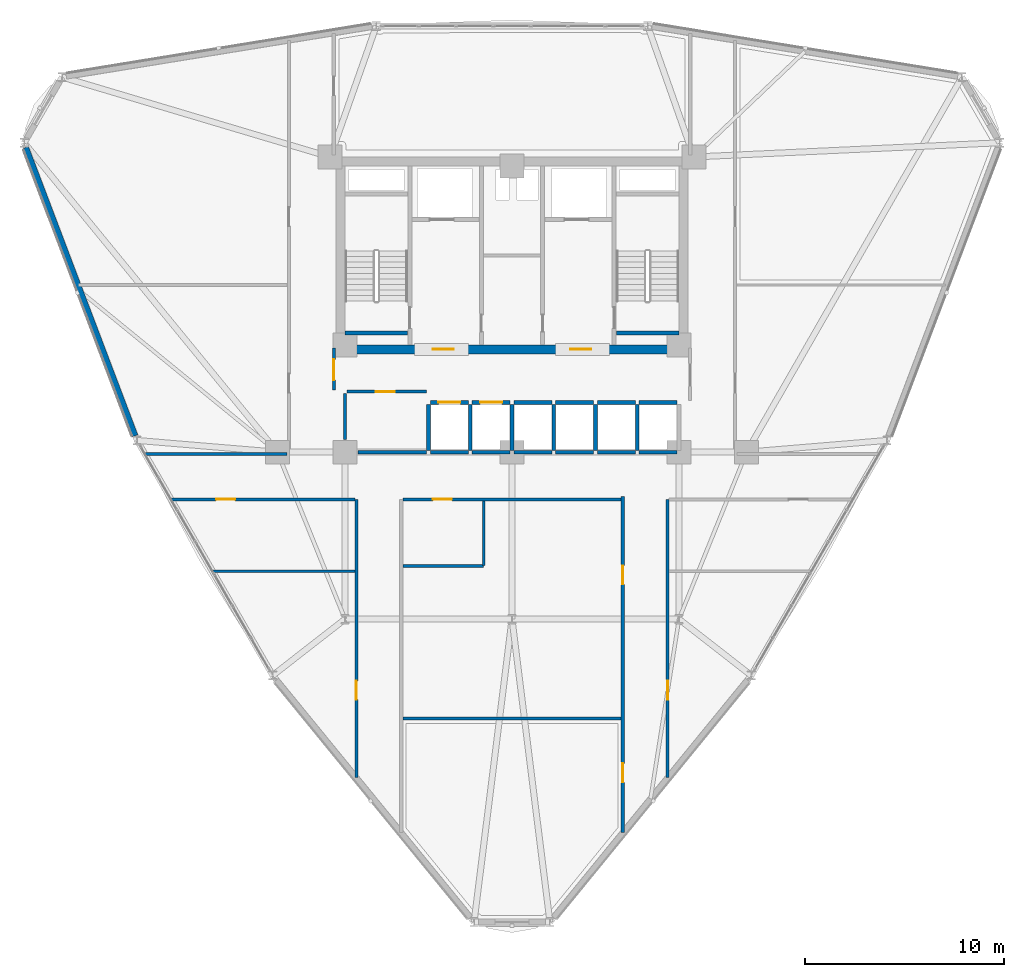
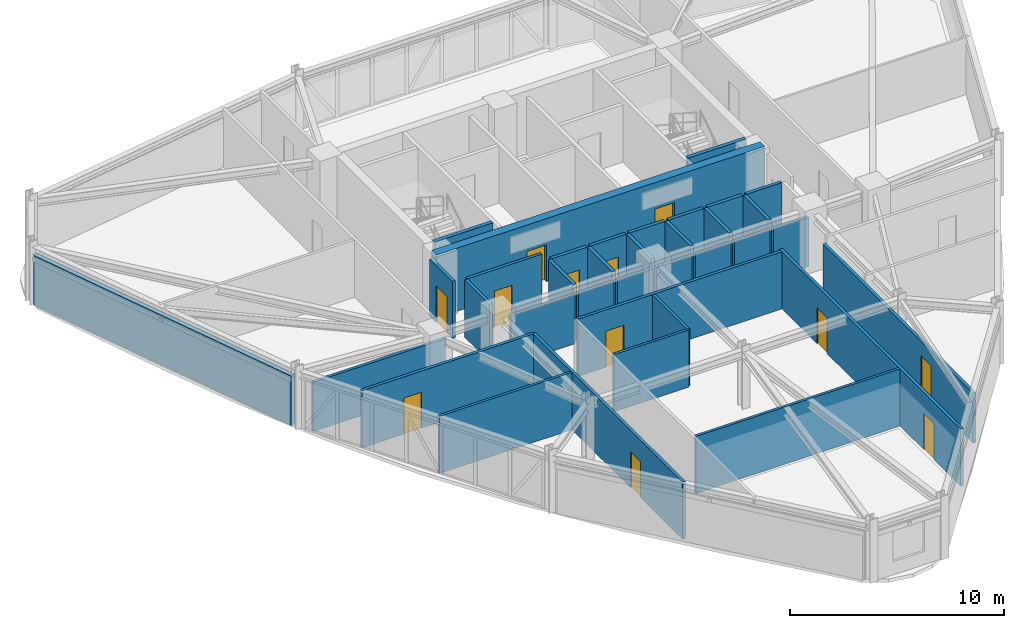
# One storey, part 10 of 17: 36 walls, 12 doors, 12 openings.
"""IFC4 building model written with IfcOpenShell, lengths in metres."""

from ifc_helpers import new_model, si_unit, derived_unit, direction, frame, frame_2d, origin, place, context, subcontext, project, spatial, rectangle, extrude, material, layer, layer_set, type_object, element, fill, save


model = new_model("IFC4")

# Units and contexts
model_context = context("Model", 3, precision=1e-05, world=origin(), true_north=direction((0.0, 1.0)))
body_context = subcontext(model_context, "Body", "Model", "MODEL_VIEW")
ifc_project = project(units=[si_unit("LENGTHUNIT", "METRE"), si_unit("AREAUNIT", "SQUARE_METRE"), si_unit("VOLUMEUNIT", "CUBIC_METRE"), si_unit("PLANEANGLEUNIT", "RADIAN"), si_unit("MASSUNIT", "GRAM", prefix="KILO"), derived_unit("THERMALTRANSMITTANCEUNIT", [(si_unit("POWERUNIT", "WATT"), 1), (si_unit("LENGTHUNIT", "METRE"), -2), (si_unit("THERMODYNAMICTEMPERATUREUNIT", "KELVIN"), -1)])], contexts=[model_context])

# Site, building, storey
site_placement = place(None, origin())
site = spatial("IfcSite", under=ifc_project, at=site_placement, CompositionType="ELEMENT")
building_placement = place(site_placement, origin())
building = spatial("IfcBuilding", under=site, at=building_placement, Name="Korsvarv Bourse and Concert Hall", CompositionType="ELEMENT")
storey_placement = place(building_placement, frame((0.0, 0.0, 127.800048828125)))
storey = spatial("IfcBuildingStorey", under=building, at=storey_placement, Name="L32", CompositionType="ELEMENT", Elevation=127.800048828125)

# Walls
ifc_material_1 = material(Name="Concrete C50/60", Category="concrete")
ifc_layer_1 = layer(ifc_material_1, 0.3798828125)
ifc_layer_set_1 = layer_set([ifc_layer_1], Name="Concrete C50/60")
wall_type_1 = type_object("IfcWallType", Name="WL-CORE-380", PredefinedType="SHEAR", material=ifc_layer_set_1)
for number, where, z_axis, x_axis, name in (
    (1, (27.610107421875, 38.39990234375, 0.0), (0.0, 0.0, 1.0), (1.0, 0.0, 0.0), "L32 stair shaft structural wall W-L32-ST1-S"),
    (2, (41.25, 38.39990234375, 0.0), (0.0, 0.0, 1.0), (1.0, 0.0, 0.0), "L32 stair shaft structural wall W-L32-ST2-S"),
):
    element("IfcWall", number, at=place(storey_placement, frame(where, z_axis=z_axis, x_axis=x_axis)), inside=storey, type_object=wall_type_1, Name=name, PredefinedType="SHEAR", context=body_context, shape_type="SweptSolid", body=[
        extrude(rectangle(XDim=3.139892578125, YDim=0.199951171875, at=frame_2d((1.56982421875, 0.0))), origin(), (0.0, 0.0, 1.0), 3.599853515625),
    ])

# Wall, openings, doors
ifc_material_2 = material(Name="Concrete C55/67", Category="concrete")
ifc_layer_2 = layer(ifc_material_2, 0.449951171875)
ifc_layer_set_2 = layer_set([ifc_layer_2], Name="Concrete C55/67")
wall_type_2 = type_object("IfcWallType", Name="WL-CORE-450", PredefinedType="SHEAR", material=ifc_layer_set_2)
wall_1_placement = place(storey_placement, frame((27.14990234375, 37.574951171875, 0.0), z_axis=(0.0, 0.0, 1.0), x_axis=(1.0, 0.0, 0.0)))
wall_1 = element("IfcWall", 3, at=wall_1_placement, inside=storey, type_object=wall_type_2, Name="L32 South Core Shear Wall", PredefinedType="SHEAR", context=body_context, shape_type="SweptSolid", body=[
    extrude(rectangle(XDim=17.7001953125, YDim=0.449951171875, at=frame_2d((8.85009765625, 0.0))), origin(), (0.0, 0.0, 1.0), 3.599853515625),
])
opening_1_placement = place(wall_1_placement, frame((4.875, 0.0, 0.0)))
opening_1 = element("IfcOpeningElement", 4, at=opening_1_placement, cuts=wall_1, Name="Opening D-01", PredefinedType="OPENING", context=body_context, shape_type="SweptSolid", body=[
    extrude(rectangle(XDim=1.050048828125, YDim=2.10009765625, at=frame_2d((0.52490234375, 1.050048828125))), frame((0.0, 0.23486328125, 0.0), z_axis=(0.0, -1.0, 0.0), x_axis=(1.0, 0.0, 0.0)), (0.0, 0.0, 1.0), 0.469970703125),
])
opening_2_placement = place(wall_1_placement, frame((11.77490234375, 0.0, 0.0)))
opening_2 = element("IfcOpeningElement", 5, at=opening_2_placement, cuts=wall_1, Name="Opening D-01", PredefinedType="OPENING", context=body_context, shape_type="SweptSolid", body=[
    extrude(rectangle(XDim=1.050048828125, YDim=2.10009765625, at=frame_2d((0.52490234375, 1.050048828125))), frame((0.0, 0.23486328125, 0.0), z_axis=(0.0, -1.0, 0.0), x_axis=(1.0, 0.0, 0.0)), (0.0, 0.0, 1.0), 0.469970703125),
])
ifc_material_3 = material(Name="Steel S355 fire door", Category="steel")
door_type_1 = type_object("IfcDoorType", Name="DR-FD60", OperationType="NOTDEFINED", PredefinedType="DOOR", material=ifc_material_3)
door_1_placement = place(opening_1_placement, frame((1.050048828125, 0.0, 0.0), z_axis=(0.0, 0.0, 1.0), x_axis=(-1.0, 0.0, 0.0)))
door_1 = element("IfcDoor", 6, at=door_1_placement, inside=storey, type_object=door_type_1, Name="L32 firefighting lobby fire door DR-L32-FFLW", OperationType="SINGLE_SWING_LEFT", OverallHeight=2.10009765625, OverallWidth=1.050048828125, PredefinedType="DOOR", context=body_context, shape_type="SweptSolid", body=[
    extrude(rectangle(XDim=1.050048828125, YDim=2.10009765625, at=frame_2d((0.52490234375, 1.050048828125))), frame((0.0, 0.02490234375, 0.0), z_axis=(0.0, -1.0, 0.0), x_axis=(1.0, 0.0, 0.0)), (0.0, 0.0, 1.0), 0.050048828125),
])
fill(opening_1, door_1)
door_2_placement = place(opening_2_placement, frame((1.050048828125, 0.0, 0.0), z_axis=(0.0, 0.0, 1.0), x_axis=(-1.0, 0.0, 0.0)))
door_2 = element("IfcDoor", 7, at=door_2_placement, inside=storey, type_object=door_type_1, Name="L32 firefighting lobby fire door DR-L32-FFLE", OperationType="SINGLE_SWING_RIGHT", OverallHeight=2.10009765625, OverallWidth=1.050048828125, PredefinedType="DOOR", context=body_context, shape_type="SweptSolid", body=[
    extrude(rectangle(XDim=1.050048828125, YDim=2.10009765625, at=frame_2d((0.52490234375, 1.050048828125))), frame((0.0, 0.02490234375, 0.0), z_axis=(0.0, -1.0, 0.0), x_axis=(1.0, 0.0, 0.0)), (0.0, 0.0, 1.0), 0.050048828125),
])
fill(opening_2, door_2)

# Walls
ifc_material_4 = material(Name="Precast concrete C45/55 with fluted terracotta pier", Category="concrete")
ifc_layer_3 = layer(ifc_material_4, 0.280029296875)
ifc_layer_set_3 = layer_set([ifc_layer_3], Name="Precast concrete C45/55 with fluted terracotta pier")
wall_type_3 = type_object("IfcWallType", Name="WL-EXT-TC2", PredefinedType="SOLIDWALL", material=ifc_layer_set_3)
wall_2_placement = place(storey_placement, frame((11.54638671875, 47.733642578125, 0.0), z_axis=(0.0, 0.0, 1.0), x_axis=(0.354519532047, -0.935048609109, 0.0)))
element("IfcWall", 8, at=wall_2_placement, inside=storey, type_object=wall_type_3, Name="L32 terracotta exterior wall EW-L32-B06", PredefinedType="SOLIDWALL", context=body_context, shape_type="SweptSolid", body=[
    extrude(rectangle(XDim=15.517333984375, YDim=0.280029296875, at=frame_2d((7.7587890625, 0.0))), origin(), (0.0, 0.0, 1.0), 2.81005859375),
])
ifc_material_5 = material(Name="Double-stud fire-rated acoustic partition", Category="gypsum")
ifc_layer_4 = layer(ifc_material_5, 0.159912109375)
ifc_layer_set_4 = layer_set([ifc_layer_4], Name="Double-stud fire-rated acoustic partition")
wall_type_4 = type_object("IfcWallType", Name="WL-INT-EI60", PredefinedType="PARTITIONING", material=ifc_layer_set_4)
wall_3_placement = place(storey_placement, frame((28.25, 32.39990234375, 0.0), z_axis=(0.0, 0.0, 1.0), x_axis=(1.0, 0.0, 0.0)))
element("IfcWall", 9, at=wall_3_placement, inside=storey, type_object=wall_type_4, Name="L32 interior partition wall W-L32-FRD-S", PredefinedType="PARTITIONING", context=body_context, shape_type="SweptSolid", body=[
    extrude(rectangle(XDim=3.449951171875, YDim=0.159912109375, at=frame_2d((1.72509765625, 0.0))), origin(), (0.0, 0.0, 1.0), 2.81005859375),
])
wall_4_placement = place(storey_placement, frame((27.60009765625, 33.050048828125, 0.0), z_axis=(0.0, 0.0, 1.0), x_axis=(0.0, 1.0, 0.0)))
element("IfcWall", 10, at=wall_4_placement, inside=storey, type_object=wall_type_4, Name="L32 interior partition wall W-L32-FRD-W", PredefinedType="PARTITIONING", context=body_context, shape_type="SweptSolid", body=[
    extrude(rectangle(XDim=2.31005859375, YDim=0.159912109375, at=frame_2d((1.155029296875, 0.0))), origin(), (0.0, 0.0, 1.0), 3.260009765625),
])

# Wall, opening, door
wall_5_placement = place(storey_placement, frame((27.68994140625, 35.449951171875, 0.0), z_axis=(0.0, 0.0, 1.0), x_axis=(1.0, 0.0, 0.0)))
wall_5 = element("IfcWall", 11, at=wall_5_placement, inside=storey, type_object=wall_type_4, Name="L32 interior partition wall W-L32-FRD-N", PredefinedType="PARTITIONING", context=body_context, shape_type="SweptSolid", body=[
    extrude(rectangle(XDim=4.010009765625, YDim=0.159912109375, at=frame_2d((2.0048828125, 0.0))), origin(), (0.0, 0.0, 1.0), 3.260009765625),
])
opening_3_placement = place(wall_5_placement, frame((1.449951171875, 0.0, 0.0)))
opening_3 = element("IfcOpeningElement", 12, at=opening_3_placement, cuts=wall_5, Name="Opening D-03", PredefinedType="OPENING", context=body_context, shape_type="SweptSolid", body=[
    extrude(rectangle(XDim=0.949951171875, YDim=2.050048828125, at=frame_2d((0.47509765625, 1.02490234375))), frame((0.0, 0.08984375, 0.0), z_axis=(0.0, -1.0, 0.0), x_axis=(1.0, 0.0, 0.0)), (0.0, 0.0, 1.0), 0.179931640625),
])
ifc_material_6 = material(Name="Nordic oak acoustic office door", Category="wood")
door_type_2 = type_object("IfcDoorType", Name="DR-INT-1", OperationType="NOTDEFINED", PredefinedType="DOOR", material=ifc_material_6)
door_3_placement = place(opening_3_placement, origin())
door_3 = element("IfcDoor", 13, at=door_3_placement, inside=storey, type_object=door_type_2, Name="L32 interior door DR-L32-FRDN1", OperationType="SINGLE_SWING_RIGHT", OverallHeight=2.050048828125, OverallWidth=0.949951171875, PredefinedType="DOOR", context=body_context, shape_type="SweptSolid", body=[
    extrude(rectangle(XDim=0.949951171875, YDim=2.050048828125, at=frame_2d((0.47509765625, 1.02490234375))), frame((0.0, 0.02490234375, 0.0), z_axis=(0.0, -1.0, 0.0), x_axis=(1.0, 0.0, 0.0)), (0.0, 0.0, 1.0), 0.050048828125),
])
fill(opening_3, door_3)

wall_6_placement = place(storey_placement, frame((27.0400390625, 35.5400390625, 0.0), z_axis=(0.0, 0.0, 1.0), x_axis=(0.0, 1.0, 0.0)))
wall_6 = element("IfcWall", 14, at=wall_6_placement, inside=storey, type_object=wall_type_4, Name="L32 interior partition wall W-L32-LOB-WL", PredefinedType="PARTITIONING", context=body_context, shape_type="SweptSolid", body=[
    extrude(rectangle(XDim=2.10986328125, YDim=0.159912109375, at=frame_2d((1.054931640625, 0.0))), origin(), (0.0, 0.0, 1.0), 3.260009765625),
])
opening_4_placement = place(wall_6_placement, frame((0.47998046875, 0.0, 0.0)))
opening_4 = element("IfcOpeningElement", 15, at=opening_4_placement, cuts=wall_6, Name="Opening D-01", PredefinedType="OPENING", context=body_context, shape_type="SweptSolid", body=[
    extrude(rectangle(XDim=1.050048828125, YDim=2.10009765625, at=frame_2d((0.52490234375, 1.050048828125))), frame((0.0, 0.08984375, 0.0), z_axis=(0.0, -1.0, 0.0), x_axis=(1.0, 0.0, 0.0)), (0.0, 0.0, 1.0), 0.179931640625),
])
door_4_placement = place(opening_4_placement, frame((1.050048828125, 0.0, 0.0), z_axis=(0.0, 0.0, 1.0), x_axis=(-1.0, 0.0, 0.0)))
door_4 = element("IfcDoor", 16, at=door_4_placement, inside=storey, type_object=door_type_1, Name="L32 interior door DR-L32-LOBW", OperationType="SINGLE_SWING_LEFT", OverallHeight=2.10009765625, OverallWidth=1.050048828125, PredefinedType="DOOR", context=body_context, shape_type="SweptSolid", body=[
    extrude(rectangle(XDim=1.050048828125, YDim=2.10009765625, at=frame_2d((0.52490234375, 1.050048828125))), frame((0.0, 0.02490234375, 0.0), z_axis=(0.0, -1.0, 0.0), x_axis=(1.0, 0.0, 0.0)), (0.0, 0.0, 1.0), 0.050048828125),
])
fill(opening_4, door_4)

# Wall, openings, doors
wall_7_placement = place(storey_placement, frame((41.574951171875, 13.273681640625, 0.0), z_axis=(0.0, 0.0, 1.0), x_axis=(0.0, 1.0, 0.0)))
wall_7 = element("IfcWall", 17, at=wall_7_placement, inside=storey, type_object=wall_type_4, Name="L32 interior partition wall W-L32-TCOR-03", PredefinedType="PARTITIONING", context=body_context, shape_type="SweptSolid", body=[
    extrude(rectangle(XDim=16.90625, YDim=0.159912109375, at=frame_2d((8.453125, 0.0))), origin(), (0.0, 0.0, 1.0), 3.260009765625),
])
opening_5_placement = place(wall_7_placement, frame((2.515625, 0.0, 0.0)))
opening_5 = element("IfcOpeningElement", 18, at=opening_5_placement, cuts=wall_7, Name="Opening D-02", PredefinedType="OPENING", context=body_context, shape_type="SweptSolid", body=[
    extrude(rectangle(XDim=0.949951171875, YDim=2.050048828125, at=frame_2d((0.47509765625, 1.02490234375))), frame((0.0, 0.08984375, 0.0), z_axis=(0.0, -1.0, 0.0), x_axis=(1.0, 0.0, 0.0)), (0.0, 0.0, 1.0), 0.179931640625),
])
opening_6_placement = place(wall_7_placement, frame((12.473388671875, 0.0, 0.0)))
opening_6 = element("IfcOpeningElement", 19, at=opening_6_placement, cuts=wall_7, Name="Opening D-02", PredefinedType="OPENING", context=body_context, shape_type="SweptSolid", body=[
    extrude(rectangle(XDim=0.949951171875, YDim=2.050048828125, at=frame_2d((0.47509765625, 1.02490234375))), frame((0.0, 0.08984375, 0.0), z_axis=(0.0, -1.0, 0.0), x_axis=(1.0, 0.0, 0.0)), (0.0, 0.0, 1.0), 0.179931640625),
])
ifc_material_7 = material(Name="Timber and steel acoustic fire door", Category="wood")
door_type_3 = type_object("IfcDoorType", Name="DR-FD30", OperationType="NOTDEFINED", PredefinedType="DOOR", material=ifc_material_7)
door_5_placement = place(opening_5_placement, origin())
door_5 = element("IfcDoor", 20, at=door_5_placement, inside=storey, type_object=door_type_3, Name="L32 interior door DR-L32-TCOR-ES36", OperationType="SINGLE_SWING_LEFT", OverallHeight=2.050048828125, OverallWidth=0.949951171875, PredefinedType="DOOR", context=body_context, shape_type="SweptSolid", body=[
    extrude(rectangle(XDim=0.949951171875, YDim=2.050048828125, at=frame_2d((0.47509765625, 1.02490234375))), frame((0.0, 0.02490234375, 0.0), z_axis=(0.0, -1.0, 0.0), x_axis=(1.0, 0.0, 0.0)), (0.0, 0.0, 1.0), 0.050048828125),
])
fill(opening_5, door_5)
door_6_placement = place(opening_6_placement, origin())
door_6 = element("IfcDoor", 21, at=door_6_placement, inside=storey, type_object=door_type_3, Name="L32 interior door DR-L32-TCOR-ES17", OperationType="SINGLE_SWING_RIGHT", OverallHeight=2.050048828125, OverallWidth=0.949951171875, PredefinedType="DOOR", context=body_context, shape_type="SweptSolid", body=[
    extrude(rectangle(XDim=0.949951171875, YDim=2.050048828125, at=frame_2d((0.47509765625, 1.02490234375))), frame((0.0, 0.02490234375, 0.0), z_axis=(0.0, -1.0, 0.0), x_axis=(1.0, 0.0, 0.0)), (0.0, 0.0, 1.0), 0.050048828125),
])
fill(opening_6, door_6)

# Wall, opening, door
wall_8_placement = place(storey_placement, frame((28.175048828125, 16.02880859375, 0.0), z_axis=(0.0, 0.0, 1.0), x_axis=(0.0, 1.0, 0.0)))
wall_8 = element("IfcWall", 22, at=wall_8_placement, inside=storey, type_object=wall_type_4, Name="L32 interior partition wall W-L32-TCOR-05", PredefinedType="PARTITIONING", context=body_context, shape_type="SweptSolid", body=[
    extrude(rectangle(XDim=14.001220703125, YDim=0.159912109375, at=frame_2d((7.00048828125, 0.0))), origin(), (0.0, 0.0, 1.0), 3.260009765625),
])
opening_7_placement = place(wall_8_placement, frame((3.918701171875, 0.0, 0.0)))
opening_7 = element("IfcOpeningElement", 23, at=opening_7_placement, cuts=wall_8, Name="Opening D-02", PredefinedType="OPENING", context=body_context, shape_type="SweptSolid", body=[
    extrude(rectangle(XDim=0.949951171875, YDim=2.050048828125, at=frame_2d((0.47509765625, 1.02490234375))), frame((0.0, 0.08984375, 0.0), z_axis=(0.0, -1.0, 0.0), x_axis=(1.0, 0.0, 0.0)), (0.0, 0.0, 1.0), 0.179931640625),
])
door_7_placement = place(opening_7_placement, origin())
door_7 = element("IfcDoor", 24, at=door_7_placement, inside=storey, type_object=door_type_3, Name="L32 interior door DR-L32-TCOR-ES48", OperationType="SINGLE_SWING_LEFT", OverallHeight=2.050048828125, OverallWidth=0.949951171875, PredefinedType="DOOR", context=body_context, shape_type="SweptSolid", body=[
    extrude(rectangle(XDim=0.949951171875, YDim=2.050048828125, at=frame_2d((0.47509765625, 1.02490234375))), frame((0.0, 0.02490234375, 0.0), z_axis=(0.0, -1.0, 0.0), x_axis=(1.0, 0.0, 0.0)), (0.0, 0.0, 1.0), 0.050048828125),
])
fill(opening_7, door_7)

wall_9_placement = place(storey_placement, frame((43.824951171875, 16.02880859375, 0.0), z_axis=(0.0, 0.0, 1.0), x_axis=(0.0, 1.0, 0.0)))
wall_9 = element("IfcWall", 25, at=wall_9_placement, inside=storey, type_object=wall_type_4, Name="L32 interior partition wall W-L32-TCOR-06", PredefinedType="PARTITIONING", context=body_context, shape_type="SweptSolid", body=[
    extrude(rectangle(XDim=14.001220703125, YDim=0.159912109375, at=frame_2d((7.00048828125, 0.0))), origin(), (0.0, 0.0, 1.0), 2.85986328125),
])
opening_8_placement = place(wall_9_placement, frame((3.918701171875, 0.0, 0.0)))
opening_8 = element("IfcOpeningElement", 26, at=opening_8_placement, cuts=wall_9, Name="Opening D-02", PredefinedType="OPENING", context=body_context, shape_type="SweptSolid", body=[
    extrude(rectangle(XDim=0.949951171875, YDim=2.050048828125, at=frame_2d((0.47509765625, 1.02490234375))), frame((0.0, 0.08984375, 0.0), z_axis=(0.0, -1.0, 0.0), x_axis=(1.0, 0.0, 0.0)), (0.0, 0.0, 1.0), 0.179931640625),
])
door_8_placement = place(opening_8_placement, origin())
door_8 = element("IfcDoor", 27, at=door_8_placement, inside=storey, type_object=door_type_3, Name="L32 interior door DR-L32-TCOR-ES53", OperationType="SINGLE_SWING_RIGHT", OverallHeight=2.050048828125, OverallWidth=0.949951171875, PredefinedType="DOOR", context=body_context, shape_type="SweptSolid", body=[
    extrude(rectangle(XDim=0.949951171875, YDim=2.050048828125, at=frame_2d((0.47509765625, 1.02490234375))), frame((0.0, 0.02490234375, 0.0), z_axis=(0.0, -1.0, 0.0), x_axis=(1.0, 0.0, 0.0)), (0.0, 0.0, 1.0), 0.050048828125),
])
fill(opening_8, door_8)

wall_10_placement = place(storey_placement, frame((30.507080078125, 30.02490234375, 0.0), z_axis=(0.0, 0.0, 1.0), x_axis=(1.0, 0.0, 0.0)))
wall_10 = element("IfcWall", 28, at=wall_10_placement, inside=storey, type_object=wall_type_4, Name="L32 interior partition wall W-L32-TCOR-07", PredefinedType="PARTITIONING", context=body_context, shape_type="SweptSolid", body=[
    extrude(rectangle(XDim=10.98583984375, YDim=0.159912109375, at=frame_2d((5.492919921875, 0.0))), origin(), (0.0, 0.0, 1.0), 3.260009765625),
])
opening_9_placement = place(wall_10_placement, frame((1.51220703125, 0.0, 0.0)))
opening_9 = element("IfcOpeningElement", 29, at=opening_9_placement, cuts=wall_10, Name="Opening D-02", PredefinedType="OPENING", context=body_context, shape_type="SweptSolid", body=[
    extrude(rectangle(XDim=0.949951171875, YDim=2.050048828125, at=frame_2d((0.47509765625, 1.02490234375))), frame((0.0, 0.08984375, 0.0), z_axis=(0.0, -1.0, 0.0), x_axis=(1.0, 0.0, 0.0)), (0.0, 0.0, 1.0), 0.179931640625),
])
door_9_placement = place(opening_9_placement, origin())
door_9 = element("IfcDoor", 30, at=door_9_placement, inside=storey, type_object=door_type_3, Name="L32 interior door DR-L32-TCOR-RWC", OperationType="SINGLE_SWING_LEFT", OverallHeight=2.050048828125, OverallWidth=0.949951171875, PredefinedType="DOOR", context=body_context, shape_type="SweptSolid", body=[
    extrude(rectangle(XDim=0.949951171875, YDim=2.050048828125, at=frame_2d((0.47509765625, 1.02490234375))), frame((0.0, 0.02490234375, 0.0), z_axis=(0.0, -1.0, 0.0), x_axis=(1.0, 0.0, 0.0)), (0.0, 0.0, 1.0), 0.050048828125),
])
fill(opening_9, door_9)

wall_11_placement = place(storey_placement, frame((18.868408203125, 30.02490234375, 0.0), z_axis=(0.0, 0.0, 1.0), x_axis=(1.0, 0.0, 0.0)))
wall_11 = element("IfcWall", 31, at=wall_11_placement, inside=storey, type_object=wall_type_4, Name="L32 interior partition wall W-L32-TCOR-08", PredefinedType="PARTITIONING", context=body_context, shape_type="SweptSolid", body=[
    extrude(rectangle(XDim=9.224609375, YDim=0.159912109375, at=frame_2d((4.6123046875, 0.0))), origin(), (0.0, 0.0, 1.0), 3.260009765625),
])
opening_10_placement = place(wall_11_placement, frame((2.249755859375, 0.0, 0.0)))
opening_10 = element("IfcOpeningElement", 32, at=opening_10_placement, cuts=wall_11, Name="Opening D-02", PredefinedType="OPENING", context=body_context, shape_type="SweptSolid", body=[
    extrude(rectangle(XDim=0.949951171875, YDim=2.050048828125, at=frame_2d((0.47509765625, 1.02490234375))), frame((0.0, 0.08984375, 0.0), z_axis=(0.0, -1.0, 0.0), x_axis=(1.0, 0.0, 0.0)), (0.0, 0.0, 1.0), 0.179931640625),
])
door_10_placement = place(opening_10_placement, origin())
door_10 = element("IfcDoor", 33, at=door_10_placement, inside=storey, type_object=door_type_3, Name="L32 interior door DR-L32-TCOR-RM99", OperationType="SINGLE_SWING_RIGHT", OverallHeight=2.050048828125, OverallWidth=0.949951171875, PredefinedType="DOOR", context=body_context, shape_type="SweptSolid", body=[
    extrude(rectangle(XDim=0.949951171875, YDim=2.050048828125, at=frame_2d((0.47509765625, 1.02490234375))), frame((0.0, 0.02490234375, 0.0), z_axis=(0.0, -1.0, 0.0), x_axis=(1.0, 0.0, 0.0)), (0.0, 0.0, 1.0), 0.050048828125),
])
fill(opening_10, door_10)

# Wall
wall_12_placement = place(storey_placement, frame((17.54638671875, 32.31494140625, 0.0), z_axis=(0.0, 0.0, 1.0), x_axis=(1.0, 0.0, 0.0)))
element("IfcWall", 34, at=wall_12_placement, inside=storey, type_object=wall_type_4, Name="L32 interior partition wall W-L32-TCOR-10", PredefinedType="PARTITIONING", context=body_context, shape_type="SweptSolid", body=[
    extrude(rectangle(XDim=7.146728515625, YDim=0.159912109375, at=frame_2d((3.5732421875, 0.0))), origin(), (0.0, 0.0, 1.0), 2.81005859375),
])

# Wall, opening, door
ifc_material_8 = material(Name="Gypsum-clad autoclaved concrete shaft wall C30/37", Category="concrete")
ifc_layer_5 = layer(ifc_material_8, 0.179931640625)
ifc_layer_set_5 = layer_set([ifc_layer_5], Name="Gypsum-clad autoclaved concrete shaft wall C30/37")
wall_type_5 = type_object("IfcWallType", Name="WL-INT-EI90", PredefinedType="PARTITIONING", material=ifc_layer_set_5)
wall_13_placement = place(storey_placement, frame((31.889892578125, 34.89990234375, 0.0), z_axis=(0.0, 0.0, 1.0), x_axis=(1.0, 0.0, 0.0)))
wall_13 = element("IfcWall", 35, at=wall_13_placement, inside=storey, type_object=wall_type_5, Name="L32 interior partition wall W-L32-SHFN-PM1", PredefinedType="PARTITIONING", context=body_context, shape_type="SweptSolid", body=[
    extrude(rectangle(XDim=1.920166015625, YDim=0.179931640625, at=frame_2d((0.9599609375, 0.0))), origin(), (0.0, 0.0, 1.0), 3.260009765625),
])
opening_11_placement = place(wall_13_placement, frame((0.409912109375, 0.0, 0.0)))
opening_11 = element("IfcOpeningElement", 36, at=opening_11_placement, cuts=wall_13, Name="Opening LD-2", PredefinedType="OPENING", context=body_context, shape_type="SweptSolid", body=[
    extrude(rectangle(XDim=1.10009765625, YDim=2.10009765625, at=frame_2d((0.550048828125, 1.050048828125))), frame((0.0, 0.10009765625, 0.0), z_axis=(0.0, -1.0, 0.0), x_axis=(1.0, 0.0, 0.0)), (0.0, 0.0, 1.0), 0.199951171875),
])
ifc_material_9 = material(Name="Brushed stainless Steel S355 lift landing door", Category="steel")
door_type_4 = type_object("IfcDoorType", Name="DR-LIFT-P", OperationType="DOUBLE_DOOR_SLIDING", PredefinedType="DOOR", material=ifc_material_9)
door_11_placement = place(opening_11_placement, origin())
door_11 = element("IfcDoor", 37, at=door_11_placement, inside=storey, type_object=door_type_4, Name="L32 lift sliding landing door LD-L32-PM1", OperationType="DOUBLE_DOOR_SLIDING", OverallHeight=2.10009765625, OverallWidth=1.10009765625, PredefinedType="DOOR", context=body_context, shape_type="SweptSolid", body=[
    extrude(rectangle(XDim=1.10009765625, YDim=2.10009765625, at=frame_2d((0.550048828125, 1.050048828125))), frame((0.0, 0.02490234375, 0.0), z_axis=(0.0, -1.0, 0.0), x_axis=(1.0, 0.0, 0.0)), (0.0, 0.0, 1.0), 0.050048828125),
])
fill(opening_11, door_11)

# Walls
wall_14_placement = place(storey_placement, frame((31.889892578125, 32.39990234375, 0.0), z_axis=(0.0, 0.0, 1.0), x_axis=(1.0, 0.0, 0.0)))
element("IfcWall", 38, at=wall_14_placement, inside=storey, type_object=wall_type_5, Name="L32 interior partition wall W-L32-SHFS-PM1", PredefinedType="PARTITIONING", context=body_context, shape_type="SweptSolid", body=[
    extrude(rectangle(XDim=1.920166015625, YDim=0.179931640625, at=frame_2d((0.9599609375, 0.0))), origin(), (0.0, 0.0, 1.0), 2.81005859375),
])
wall_15_placement = place(storey_placement, frame((31.800048828125, 32.489990234375, 0.0), z_axis=(0.0, 0.0, 1.0), x_axis=(0.0, 1.0, 0.0)))
element("IfcWall", 39, at=wall_15_placement, inside=storey, type_object=wall_type_5, Name="L32 interior partition wall W-L32-SHFW-PM1", PredefinedType="PARTITIONING", context=body_context, shape_type="SweptSolid", body=[
    extrude(rectangle(XDim=2.320068359375, YDim=0.179931640625, at=frame_2d((1.16015625, 0.0))), origin(), (0.0, 0.0, 1.0), 3.260009765625),
])

# Wall, opening, door
wall_16_placement = place(storey_placement, frame((33.989990234375, 34.89990234375, 0.0), z_axis=(0.0, 0.0, 1.0), x_axis=(1.0, 0.0, 0.0)))
wall_16 = element("IfcWall", 40, at=wall_16_placement, inside=storey, type_object=wall_type_5, Name="L32 interior partition wall W-L32-SHFN-PM2", PredefinedType="PARTITIONING", context=body_context, shape_type="SweptSolid", body=[
    extrude(rectangle(XDim=1.919921875, YDim=0.179931640625, at=frame_2d((0.9599609375, 0.0))), origin(), (0.0, 0.0, 1.0), 3.260009765625),
])
opening_12_placement = place(wall_16_placement, frame((0.409912109375, 0.0, 0.0)))
opening_12 = element("IfcOpeningElement", 41, at=opening_12_placement, cuts=wall_16, Name="Opening LD-2", PredefinedType="OPENING", context=body_context, shape_type="SweptSolid", body=[
    extrude(rectangle(XDim=1.10009765625, YDim=2.10009765625, at=frame_2d((0.550048828125, 1.050048828125))), frame((0.0, 0.10009765625, 0.0), z_axis=(0.0, -1.0, 0.0), x_axis=(1.0, 0.0, 0.0)), (0.0, 0.0, 1.0), 0.199951171875),
])
door_12_placement = place(opening_12_placement, origin())
door_12 = element("IfcDoor", 42, at=door_12_placement, inside=storey, type_object=door_type_4, Name="L32 lift sliding landing door LD-L32-PM2", OperationType="DOUBLE_DOOR_SLIDING", OverallHeight=2.10009765625, OverallWidth=1.10009765625, PredefinedType="DOOR", context=body_context, shape_type="SweptSolid", body=[
    extrude(rectangle(XDim=1.10009765625, YDim=2.10009765625, at=frame_2d((0.550048828125, 1.050048828125))), frame((0.0, 0.02490234375, 0.0), z_axis=(0.0, -1.0, 0.0), x_axis=(1.0, 0.0, 0.0)), (0.0, 0.0, 1.0), 0.050048828125),
])
fill(opening_12, door_12)

# Walls
wall_17_placement = place(storey_placement, frame((33.989990234375, 32.39990234375, 0.0), z_axis=(0.0, 0.0, 1.0), x_axis=(1.0, 0.0, 0.0)))
element("IfcWall", 43, at=wall_17_placement, inside=storey, type_object=wall_type_5, Name="L32 interior partition wall W-L32-SHFS-PM2", PredefinedType="PARTITIONING", context=body_context, shape_type="SweptSolid", body=[
    extrude(rectangle(XDim=1.919921875, YDim=0.179931640625, at=frame_2d((0.9599609375, 0.0))), origin(), (0.0, 0.0, 1.0), 2.81005859375),
])
wall_18_placement = place(storey_placement, frame((33.89990234375, 32.489990234375, 0.0), z_axis=(0.0, 0.0, 1.0), x_axis=(0.0, 1.0, 0.0)))
element("IfcWall", 44, at=wall_18_placement, inside=storey, type_object=wall_type_5, Name="L32 interior partition wall W-L32-SHFW-PM2", PredefinedType="PARTITIONING", context=body_context, shape_type="SweptSolid", body=[
    extrude(rectangle(XDim=2.320068359375, YDim=0.179931640625, at=frame_2d((1.16015625, 0.0))), origin(), (0.0, 0.0, 1.0), 3.260009765625),
])
wall_19_placement = place(storey_placement, frame((36.090087890625, 34.89990234375, 0.0), z_axis=(0.0, 0.0, 1.0), x_axis=(1.0, 0.0, 0.0)))
element("IfcWall", 45, at=wall_19_placement, inside=storey, type_object=wall_type_5, Name="L32 interior partition wall W-L32-SHFN-PH1", PredefinedType="PARTITIONING", context=body_context, shape_type="SweptSolid", body=[
    extrude(rectangle(XDim=1.919921875, YDim=0.179931640625, at=frame_2d((0.9599609375, 0.0))), origin(), (0.0, 0.0, 1.0), 3.260009765625),
])
wall_20_placement = place(storey_placement, frame((36.090087890625, 32.39990234375, 0.0), z_axis=(0.0, 0.0, 1.0), x_axis=(1.0, 0.0, 0.0)))
element("IfcWall", 46, at=wall_20_placement, inside=storey, type_object=wall_type_5, Name="L32 interior partition wall W-L32-SHFS-PH1", PredefinedType="PARTITIONING", context=body_context, shape_type="SweptSolid", body=[
    extrude(rectangle(XDim=1.919921875, YDim=0.179931640625, at=frame_2d((0.9599609375, 0.0))), origin(), (0.0, 0.0, 1.0), 2.81005859375),
])
wall_21_placement = place(storey_placement, frame((36.0, 32.489990234375, 0.0), z_axis=(0.0, 0.0, 1.0), x_axis=(0.0, 1.0, 0.0)))
element("IfcWall", 47, at=wall_21_placement, inside=storey, type_object=wall_type_5, Name="L32 interior partition wall W-L32-SHFW-PH1", PredefinedType="PARTITIONING", context=body_context, shape_type="SweptSolid", body=[
    extrude(rectangle(XDim=2.320068359375, YDim=0.179931640625, at=frame_2d((1.16015625, 0.0))), origin(), (0.0, 0.0, 1.0), 3.260009765625),
])
wall_22_placement = place(storey_placement, frame((38.18994140625, 34.89990234375, 0.0), z_axis=(0.0, 0.0, 1.0), x_axis=(1.0, 0.0, 0.0)))
element("IfcWall", 48, at=wall_22_placement, inside=storey, type_object=wall_type_5, Name="L32 interior partition wall W-L32-SHFN-PH2", PredefinedType="PARTITIONING", context=body_context, shape_type="SweptSolid", body=[
    extrude(rectangle(XDim=1.920166015625, YDim=0.179931640625, at=frame_2d((0.9599609375, 0.0))), origin(), (0.0, 0.0, 1.0), 3.260009765625),
])
wall_23_placement = place(storey_placement, frame((38.18994140625, 32.39990234375, 0.0), z_axis=(0.0, 0.0, 1.0), x_axis=(1.0, 0.0, 0.0)))
element("IfcWall", 49, at=wall_23_placement, inside=storey, type_object=wall_type_5, Name="L32 interior partition wall W-L32-SHFS-PH2", PredefinedType="PARTITIONING", context=body_context, shape_type="SweptSolid", body=[
    extrude(rectangle(XDim=1.920166015625, YDim=0.179931640625, at=frame_2d((0.9599609375, 0.0))), origin(), (0.0, 0.0, 1.0), 2.81005859375),
])
wall_24_placement = place(storey_placement, frame((38.10009765625, 32.489990234375, 0.0), z_axis=(0.0, 0.0, 1.0), x_axis=(0.0, 1.0, 0.0)))
element("IfcWall", 50, at=wall_24_placement, inside=storey, type_object=wall_type_5, Name="L32 interior partition wall W-L32-SHFW-PH2", PredefinedType="PARTITIONING", context=body_context, shape_type="SweptSolid", body=[
    extrude(rectangle(XDim=2.320068359375, YDim=0.179931640625, at=frame_2d((1.16015625, 0.0))), origin(), (0.0, 0.0, 1.0), 3.260009765625),
])
wall_25_placement = place(storey_placement, frame((40.2900390625, 34.89990234375, 0.0), z_axis=(0.0, 0.0, 1.0), x_axis=(1.0, 0.0, 0.0)))
element("IfcWall", 51, at=wall_25_placement, inside=storey, type_object=wall_type_5, Name="L32 interior partition wall W-L32-SHFN-PO1", PredefinedType="PARTITIONING", context=body_context, shape_type="SweptSolid", body=[
    extrude(rectangle(XDim=1.919921875, YDim=0.179931640625, at=frame_2d((0.9599609375, 0.0))), origin(), (0.0, 0.0, 1.0), 3.260009765625),
])
wall_26_placement = place(storey_placement, frame((40.2900390625, 32.39990234375, 0.0), z_axis=(0.0, 0.0, 1.0), x_axis=(1.0, 0.0, 0.0)))
element("IfcWall", 52, at=wall_26_placement, inside=storey, type_object=wall_type_5, Name="L32 interior partition wall W-L32-SHFS-PO1", PredefinedType="PARTITIONING", context=body_context, shape_type="SweptSolid", body=[
    extrude(rectangle(XDim=1.919921875, YDim=0.179931640625, at=frame_2d((0.9599609375, 0.0))), origin(), (0.0, 0.0, 1.0), 2.81005859375),
])
wall_27_placement = place(storey_placement, frame((40.199951171875, 32.489990234375, 0.0), z_axis=(0.0, 0.0, 1.0), x_axis=(0.0, 1.0, 0.0)))
element("IfcWall", 53, at=wall_27_placement, inside=storey, type_object=wall_type_5, Name="L32 interior partition wall W-L32-SHFW-PO1", PredefinedType="PARTITIONING", context=body_context, shape_type="SweptSolid", body=[
    extrude(rectangle(XDim=2.320068359375, YDim=0.179931640625, at=frame_2d((1.16015625, 0.0))), origin(), (0.0, 0.0, 1.0), 3.260009765625),
])
wall_28_placement = place(storey_placement, frame((42.389892578125, 34.89990234375, 0.0), z_axis=(0.0, 0.0, 1.0), x_axis=(1.0, 0.0, 0.0)))
element("IfcWall", 54, at=wall_28_placement, inside=storey, type_object=wall_type_5, Name="L32 interior partition wall W-L32-SHFN-PO2", PredefinedType="PARTITIONING", context=body_context, shape_type="SweptSolid", body=[
    extrude(rectangle(XDim=1.920166015625, YDim=0.179931640625, at=frame_2d((0.9599609375, 0.0))), origin(), (0.0, 0.0, 1.0), 3.260009765625),
])
wall_29_placement = place(storey_placement, frame((42.389892578125, 32.39990234375, 0.0), z_axis=(0.0, 0.0, 1.0), x_axis=(1.0, 0.0, 0.0)))
element("IfcWall", 55, at=wall_29_placement, inside=storey, type_object=wall_type_5, Name="L32 interior partition wall W-L32-SHFS-PO2", PredefinedType="PARTITIONING", context=body_context, shape_type="SweptSolid", body=[
    extrude(rectangle(XDim=1.920166015625, YDim=0.179931640625, at=frame_2d((0.9599609375, 0.0))), origin(), (0.0, 0.0, 1.0), 2.81005859375),
])
wall_30_placement = place(storey_placement, frame((42.300048828125, 32.489990234375, 0.0), z_axis=(0.0, 0.0, 1.0), x_axis=(0.0, 1.0, 0.0)))
element("IfcWall", 56, at=wall_30_placement, inside=storey, type_object=wall_type_5, Name="L32 interior partition wall W-L32-SHFW-PO2", PredefinedType="PARTITIONING", context=body_context, shape_type="SweptSolid", body=[
    extrude(rectangle(XDim=2.320068359375, YDim=0.179931640625, at=frame_2d((1.16015625, 0.0))), origin(), (0.0, 0.0, 1.0), 3.260009765625),
])
ifc_material_10 = material(Name="Insulated steel-stud office acoustic partition", Category="gypsum")
ifc_layer_6 = layer(ifc_material_10, 0.139892578125)
ifc_layer_set_6 = layer_set([ifc_layer_6], Name="Insulated steel-stud office acoustic partition")
wall_type_6 = type_object("IfcWallType", Name="WL-INT-P1", PredefinedType="PARTITIONING", material=ifc_layer_set_6)
wall_31_placement = place(storey_placement, frame((30.507080078125, 19.0048828125, 0.0), z_axis=(0.0, 0.0, 1.0), x_axis=(1.0, 0.0, 0.0)))
element("IfcWall", 57, at=wall_31_placement, inside=storey, type_object=wall_type_6, Name="L32 interior partition wall W-L32-TCOR-14", PredefinedType="PARTITIONING", context=body_context, shape_type="SweptSolid", body=[
    extrude(rectangle(XDim=10.98583984375, YDim=0.139892578125, at=frame_2d((5.492919921875, 0.0))), origin(), (0.0, 0.0, 1.0), 3.260009765625),
])
wall_32_placement = place(storey_placement, frame((20.95849609375, 26.405029296875, 0.0), z_axis=(0.0, 0.0, 1.0), x_axis=(1.0, 0.0, 0.0)))
element("IfcWall", 58, at=wall_32_placement, inside=storey, type_object=wall_type_6, Name="L32 interior partition wall W-L32-TCOR-17", PredefinedType="PARTITIONING", context=body_context, shape_type="SweptSolid", body=[
    extrude(rectangle(XDim=7.134521484375, YDim=0.139892578125, at=frame_2d((3.5673828125, 0.0))), origin(), (0.0, 0.0, 1.0), 3.260009765625),
])
wall_33_placement = place(storey_placement, frame((30.507080078125, 26.675048828125, 0.0), z_axis=(0.0, 0.0, 1.0), x_axis=(1.0, 0.0, 0.0)))
element("IfcWall", 59, at=wall_33_placement, inside=storey, type_object=wall_type_6, Name="L32 interior partition wall W-L32-TCOR-19", PredefinedType="PARTITIONING", context=body_context, shape_type="SweptSolid", body=[
    extrude(rectangle(XDim=4.052978515625, YDim=0.139892578125, at=frame_2d((2.0263671875, 0.0))), origin(), (0.0, 0.0, 1.0), 3.260009765625),
])
wall_34_placement = place(storey_placement, frame((34.574951171875, 26.68994140625, 0.0), z_axis=(0.0, 0.0, 1.0), x_axis=(0.0, 1.0, 0.0)))
element("IfcWall", 60, at=wall_34_placement, inside=storey, type_object=wall_type_6, Name="L32 interior partition wall W-L32-TCOR-20", PredefinedType="PARTITIONING", context=body_context, shape_type="SweptSolid", body=[
    extrude(rectangle(XDim=3.253173828125, YDim=0.139892578125, at=frame_2d((1.62646484375, 0.0))), origin(), (0.0, 0.0, 1.0), 3.260009765625),
])

save(model, "model.ifc")
